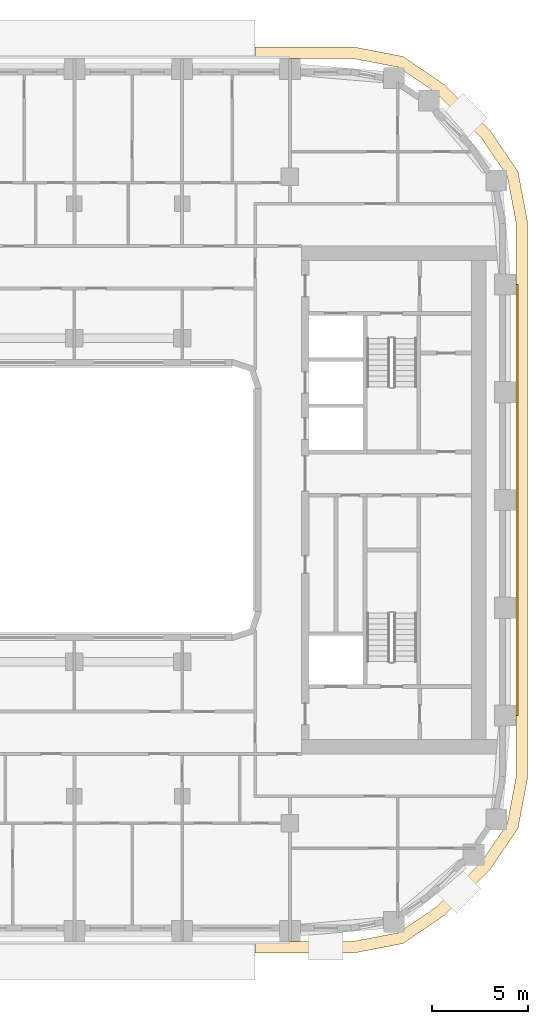
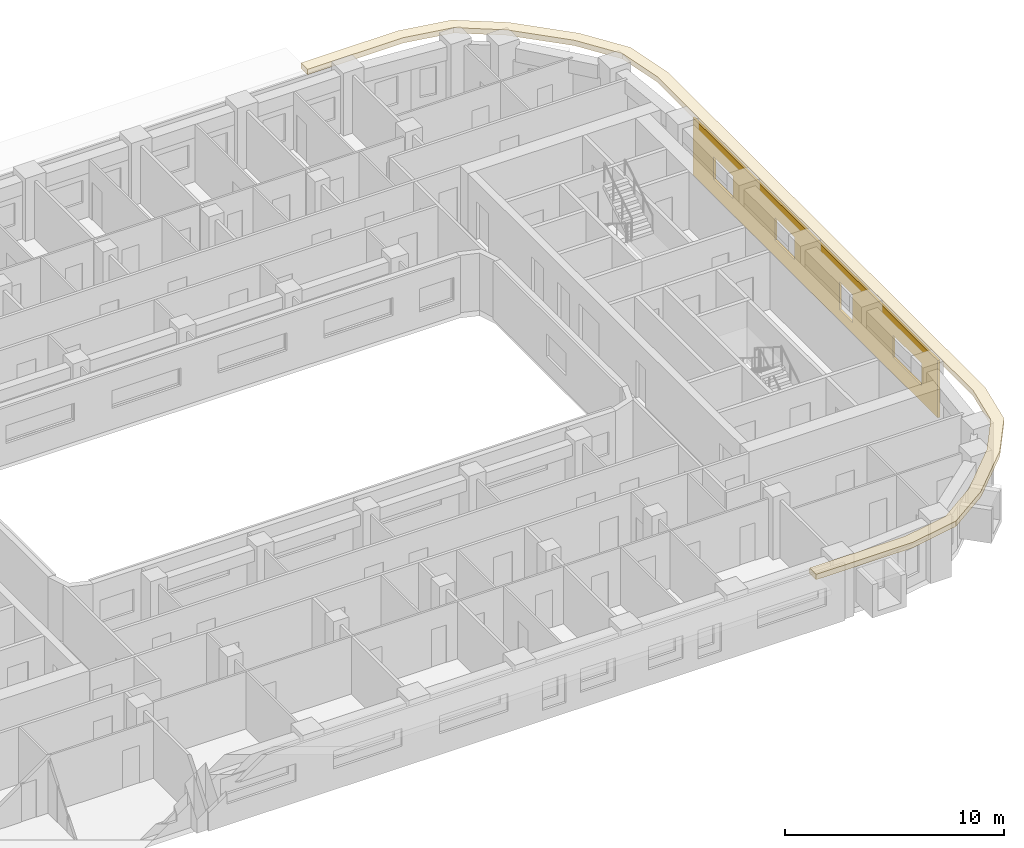
# One storey, part 18 of 22: 2 coverings.
"""IFC4 building model written with IfcOpenShell, lengths in metres."""

import ifcopenshell
import ifcopenshell.guid

model = None  # the IFC model being written
_history = None  # IfcOwnerHistory: only IFC2X3 demands one
_inside = {}  # id of a spatial element -> (the spatial element, [elements in it])
_under = {}  # id of a project, library or spatial element -> (it, [spatial elements below it])
_declared = {}  # id of a project -> (the project, [libraries it declares])
_typed = {}  # id of a type object -> (the type object, [elements of that type])
_made_of = {}  # id of a material, layer set ... -> (it, [elements and type objects made of it])


def new_model(schema):
    """Start an empty IFC model of exactly this schema.

    Asked for "IFC4X3", IfcOpenShell would pick the latest addendum, in which some entities
    have other attributes; the version numbers below select the first issue.
    IFC2X3 requires an IfcOwnerHistory on every rooted entity: one is made here for all.
    """
    global model, _history
    if schema == "IFC4X3":
        model = ifcopenshell.file(schema_version=(4, 3, 0, 0))
    else:
        model = ifcopenshell.file(schema=schema)
    _inside.clear()
    _under.clear()
    _declared.clear()
    _typed.clear()
    _made_of.clear()
    _history = None
    if model.schema == "IFC2X3":
        org = make("IfcOrganization", Name="unknown")
        user = make(
            "IfcPersonAndOrganization",
            ThePerson=make("IfcPerson", FamilyName="unknown"),
            TheOrganization=org,
        )
        app = make(
            "IfcApplication",
            ApplicationDeveloper=org,
            Version="unknown",
            ApplicationFullName="unknown",
            ApplicationIdentifier="unknown",
        )
        _history = make(
            "IfcOwnerHistory",
            OwningUser=user,
            OwningApplication=app,
            ChangeAction="ADDED",
            CreationDate=0,
        )
    return model


def make(cls, **values):
    """One entity of the class cls with the attributes given. An attribute that is None is left unset."""
    return model.create_entity(
        cls, **{name: value for name, value in values.items() if value is not None}
    )


def rooted(cls, **values):
    """An entity with a GlobalId (a new one), such as an element, a storey or a relation."""
    return make(cls, GlobalId=ifcopenshell.guid.new(), OwnerHistory=_history, **values)


def si_unit(unit_type, name, prefix=None):
    """IfcSIUnit, for example si_unit("LENGTHUNIT", "METRE", prefix="MILLI")."""
    return make("IfcSIUnit", UnitType=unit_type, Prefix=prefix, Name=name)


def assignment(units):
    """IfcUnitAssignment: the units of a project."""
    return None if units is None else make("IfcUnitAssignment", Units=units)


def point(xyz):
    """IfcCartesianPoint."""
    return None if xyz is None else make("IfcCartesianPoint", Coordinates=xyz)


def direction(xyz):
    """IfcDirection."""
    return None if xyz is None else make("IfcDirection", DirectionRatios=xyz)


def frame(location, z_axis=None, x_axis=None):
    """IfcAxis2Placement3D, a coordinate frame: its origin and axes. An axis left out is left unset."""
    return make(
        "IfcAxis2Placement3D",
        Location=point(location),
        Axis=direction(z_axis),
        RefDirection=direction(x_axis),
    )


def origin():
    """The frame at (0, 0, 0) with its axes left unset."""
    return frame((0.0, 0.0, 0.0))


def place(relative_to, where):
    """IfcLocalPlacement: puts the frame where relative to a parent placement (None: the world)."""
    return make(
        "IfcLocalPlacement", PlacementRelTo=relative_to, RelativePlacement=where
    )


def context(
    kind, dimensions, precision=None, world=None, true_north=None, identifier=None
):
    """IfcGeometricRepresentationContext, for example the 3D "Model" context."""
    return make(
        "IfcGeometricRepresentationContext",
        ContextIdentifier=identifier,
        ContextType=kind,
        CoordinateSpaceDimension=dimensions,
        Precision=precision,
        WorldCoordinateSystem=world,
        TrueNorth=true_north,
    )


def subcontext(parent, identifier, kind, view, scale=None):
    """IfcGeometricRepresentationSubContext, for example "Body" below "Model"."""
    return make(
        "IfcGeometricRepresentationSubContext",
        ContextIdentifier=identifier,
        ContextType=kind,
        ParentContext=parent,
        TargetScale=scale,
        TargetView=view,
    )


def project(units=None, contexts=None):
    """IfcProject with its units and contexts."""
    return rooted(
        "IfcProject",
        Name="project",
        RepresentationContexts=contexts,
        UnitsInContext=assignment(units),
    )


def spatial(cls, under=None, at=None, **own):
    """A site, building, storey or space (cls), placed at a placement, below another one or the project."""
    s = rooted(cls, ObjectPlacement=at, **own)
    if under is not None:
        _under.setdefault(under.id(), (under, []))[1].append(s)
    return s


def polyline(points):
    """IfcPolyline through the points."""
    return make("IfcPolyline", Points=[point(p) for p in points])


def outline(outer, holes=None, kind="AREA"):
    """IfcArbitraryClosedProfileDef: a profile drawn as a closed curve; with holes, ...WithVoids."""
    if holes is None:
        return make("IfcArbitraryClosedProfileDef", ProfileType=kind, OuterCurve=outer)
    return make(
        "IfcArbitraryProfileDefWithVoids",
        ProfileType=kind,
        OuterCurve=outer,
        InnerCurves=holes,
    )


def extrude(swept, where, along, depth):
    """IfcExtrudedAreaSolid: the profile swept, set in the frame where, extruded along a direction by depth."""
    return make(
        "IfcExtrudedAreaSolid",
        SweptArea=swept,
        Position=where,
        ExtrudedDirection=direction(along),
        Depth=depth,
    )


def shape(context_of_items, identifier, shape_type, items):
    """IfcShapeRepresentation: the items that make up one representation, for example the "Body"."""
    return make(
        "IfcShapeRepresentation",
        ContextOfItems=context_of_items,
        RepresentationIdentifier=identifier,
        RepresentationType=shape_type,
        Items=items,
    )


def material(Name=None, Category=None):
    """IfcMaterial."""
    return make("IfcMaterial", Name=Name, Category=Category)


def layer(
    of_material, thickness, ventilated=None, Name=None, Category=None, Priority=None
):
    """IfcMaterialLayer: one layer of a wall or slab, of a material (None: an air gap)."""
    return make(
        "IfcMaterialLayer",
        Material=of_material,
        LayerThickness=thickness,
        IsVentilated=ventilated,
        Name=Name,
        Category=Category,
        Priority=Priority,
    )


def layer_set(layers, Name=None):
    """IfcMaterialLayerSet."""
    return make("IfcMaterialLayerSet", MaterialLayers=layers, LayerSetName=Name)


def made_of(thing, what):
    """Note that an element or type object is made of a material, layer set ...; save() writes the relation."""
    if what is not None:
        _made_of.setdefault(what.id(), (what, []))[1].append(thing)
    return thing


def type_object(cls, material=None, **own):
    """A type object (cls), such as IfcWallType, which elements share."""
    return made_of(rooted(cls, **own), material)


def element(
    cls,
    number,
    at=None,
    inside=None,
    cuts=None,
    type_object=None,
    material=None,
    context=None,
    identifier="Body",
    shape_type=None,
    held_by="IfcProductDefinitionShape",
    body=None,
    shapes=None,
    **own,
):
    """One element of the class cls, such as IfcWall. Its Tag is "e" and its number.

    at: its placement. inside: the storey or other place that contains it. cuts: it is an
    opening in that element (IfcRelVoidsElement). A single representation is given by context,
    identifier, shape_type and body (its items); several are given by shapes. held_by: the class
    of the entity that holds the representations. save() writes the other relations.
    """
    e = rooted(cls, Tag="e%d" % number, ObjectPlacement=at, **own)
    if body is not None:
        shapes = [shape(context, identifier, shape_type, body)]
    if shapes is not None:
        e.Representation = make(held_by, Representations=shapes)
    if inside is not None:
        _inside.setdefault(inside.id(), (inside, []))[1].append(e)
    if cuts is not None:
        rooted(
            "IfcRelVoidsElement", RelatingBuildingElement=cuts, RelatedOpeningElement=e
        )
    if type_object is not None:
        _typed.setdefault(type_object.id(), (type_object, []))[1].append(e)
    return made_of(e, material)


def aggregate(whole, parts):
    """IfcRelAggregates: a whole, such as a stair, and the parts it consists of."""
    return rooted("IfcRelAggregates", RelatingObject=whole, RelatedObjects=parts)


def save(model, path):
    """Write the relations noted so far, then the file.

    IfcRelAggregates (storeys below a building ...), IfcRelContainedInSpatialStructure (elements
    in a storey), IfcRelDefinesByType, IfcRelAssociatesMaterial and IfcRelDeclares: one each for
    every whole, place, type object, material and project.
    """
    for whole, parts in _under.values():
        aggregate(whole, parts)
    for where, things in _inside.values():
        rooted(
            "IfcRelContainedInSpatialStructure",
            RelatedElements=things,
            RelatingStructure=where,
        )
    for kind, things in _typed.values():
        rooted("IfcRelDefinesByType", RelatedObjects=things, RelatingType=kind)
    for what, things in _made_of.values():
        rooted("IfcRelAssociatesMaterial", RelatedObjects=things, RelatingMaterial=what)
    for by, libraries in _declared.values():
        rooted("IfcRelDeclares", RelatingContext=by, RelatedDefinitions=libraries)
    model.write(path)


model = new_model("IFC4")

# Units and contexts
model_context = context("Model", 3, precision=1e-05, world=origin(), true_north=direction((0.0, 1.0)))
body_context = subcontext(model_context, "Body", "Model", "MODEL_VIEW")
ifc_project = project(units=[si_unit("LENGTHUNIT", "METRE"), si_unit("AREAUNIT", "SQUARE_METRE"), si_unit("VOLUMEUNIT", "CUBIC_METRE"), si_unit("PLANEANGLEUNIT", "RADIAN"), si_unit("MASSUNIT", "GRAM", prefix="KILO")], contexts=[model_context])

# Site, building, storey
site_placement = place(None, origin())
site = spatial("IfcSite", under=ifc_project, at=site_placement, CompositionType="ELEMENT")
building_placement = place(site_placement, origin())
building = spatial("IfcBuilding", under=site, at=building_placement, Name="Kiln Ring Residences", CompositionType="ELEMENT")
storey_placement = place(building_placement, frame((0.0, 0.0, 139.60009765625)))
storey = spatial("IfcBuildingStorey", under=building, at=storey_placement, Name="L35", CompositionType="ELEMENT", Elevation=139.60009765625)

# Coverings
ifc_material_1 = material(Name="Brick masonry, dark clay brick", Category="masonry")
ifc_layer_1 = layer(ifc_material_1, 0.1201171875)
ifc_layer_set_1 = layer_set([ifc_layer_1], Name="RAINSCREEN PANEL 120")
covering_type_1 = type_object("IfcCoveringType", Name="RAINSCREEN PANEL 120", PredefinedType="CLADDING", material=ifc_layer_set_1)
covering_1_placement = place(storey_placement, frame((28.610107421875, -11.199951171875, 0.0), z_axis=(0.0, 0.0, 1.0), x_axis=(0.0, 1.0, 0.0)))
element("IfcCovering", 1, at=covering_1_placement, inside=storey, type_object=covering_type_1, Name="RAINSCREEN L35", PredefinedType="CLADDING", context=body_context, shape_type="SweptSolid", body=[
    extrude(outline(polyline([(0.0, 0.0), (22.39990234375, 0.0), (22.39990234375, 3.199951171875), (0.0, 3.199951171875), (0.0, 0.0)]), holes=[polyline([(9.0, 0.599853515625), (9.0, 2.14990234375), (7.800048828125, 2.14990234375), (7.800048828125, 0.599853515625), (9.0, 0.599853515625)]), polyline([(4.10009765625, 0.89990234375), (4.10009765625, 2.14990234375), (1.5, 2.14990234375), (1.5, 0.89990234375), (4.10009765625, 0.89990234375)]), polyline([(14.89990234375, 0.89990234375), (14.89990234375, 2.14990234375), (13.10009765625, 2.14990234375), (13.10009765625, 0.89990234375), (14.89990234375, 0.89990234375)]), polyline([(20.5, 0.89990234375), (20.5, 2.14990234375), (18.699951171875, 2.14990234375), (18.699951171875, 0.89990234375), (20.5, 0.89990234375)])]), frame((0.0, 0.06005859375, 0.0), z_axis=(0.0, -1.0, 0.0), x_axis=(1.0, 0.0, 0.0)), (0.0, 0.0, 1.0), 0.1201171875),
])
ifc_material_2 = material(Name="Black powder-coated steel", Category="steel")
ifc_layer_2 = layer(ifc_material_2, 0.300048828125)
ifc_layer_set_2 = layer_set([ifc_layer_2], Name="SUNSHADE FIN 600")
covering_type_2 = type_object("IfcCoveringType", Name="SUNSHADE FIN 600", PredefinedType="CLADDING", material=ifc_layer_set_2)
covering_2_placement = place(storey_placement, frame((0.0, 0.0, 3.199951171875)))
element("IfcCovering", 2, at=covering_2_placement, inside=storey, type_object=covering_type_2, Name="SUNSHADE FIN L35", PredefinedType="CLADDING", context=body_context, shape_type="SweptSolid", body=[
    extrude(outline(polyline([(20.108642578125, 23.550048828125), (15.0, 23.550048828125), (15.0, 22.949951171875), (20.052001953125, 22.949951171875), (22.439208984375, 22.49462890625), (24.44921875, 21.128662109375), (26.728515625, 18.84912109375), (28.0947265625, 16.839111328125), (28.550048828125, 14.451904296875), (28.550048828125, -14.451904296875), (28.0947265625, -16.839111328125), (26.728515625, -18.84912109375), (24.44921875, -21.128662109375), (22.439208984375, -22.49462890625), (20.052001953125, -22.949951171875), (15.0, -22.949951171875), (15.0, -23.550048828125), (20.108642578125, -23.550048828125), (22.673583984375, -23.060791015625), (24.83349609375, -21.593017578125), (27.193115234375, -19.2333984375), (28.66064453125, -17.07373046875), (29.14990234375, -14.5087890625), (29.14990234375, 14.5087890625), (28.66064453125, 17.07373046875), (27.193115234375, 19.2333984375), (24.83349609375, 21.593017578125), (22.673583984375, 23.060791015625), (20.108642578125, 23.550048828125)])), origin(), (0.0, 0.0, 1.0), 0.300048828125),
])

save(model, "model.ifc")
